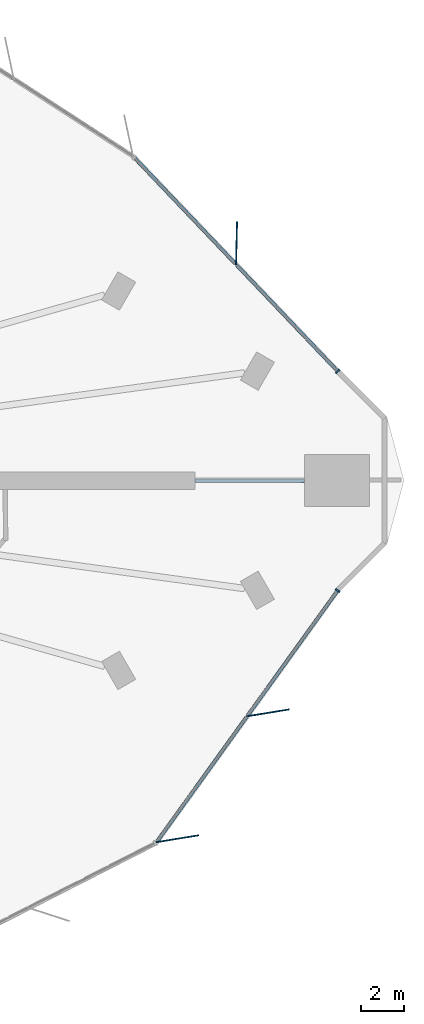
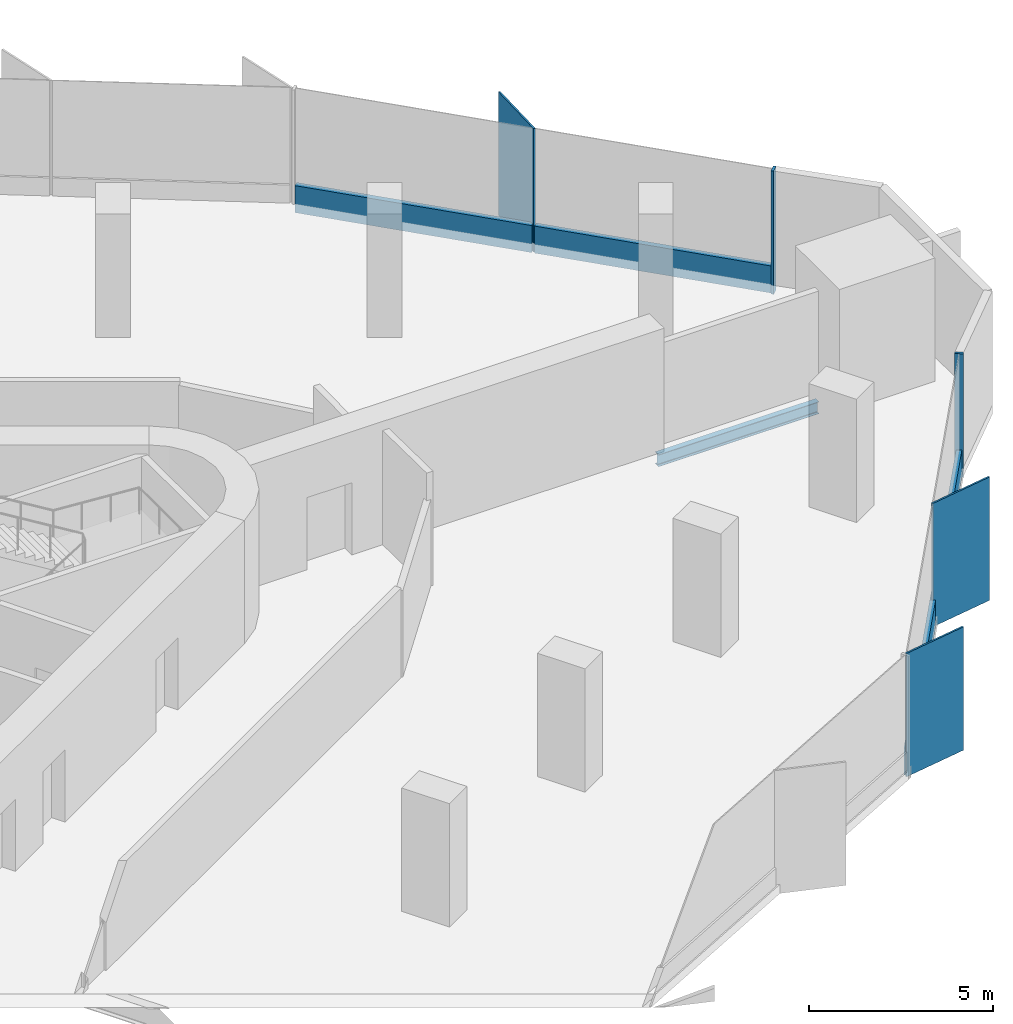
# One storey, part 6 of 14: 9 members, 1 beam, 2 elements without a shape of their own.
"""IFC4 building model written with IfcOpenShell, lengths in metres."""

from ifc_helpers import new_model, si_unit, direction, frame, origin, origin_2d, place, context, subcontext, project, spatial, rectangle, i_section, extrude, material, material_profile, profile_set, type_object, element, aggregate, save


model = new_model("IFC4")

# Units and contexts
model_context = context("Model", 3, precision=1e-05, world=origin(), true_north=direction((0.0, 1.0)))
body_context = subcontext(model_context, "Body", "Model", "MODEL_VIEW")
ifc_project = project(units=[si_unit("LENGTHUNIT", "METRE"), si_unit("AREAUNIT", "SQUARE_METRE"), si_unit("VOLUMEUNIT", "CUBIC_METRE"), si_unit("PLANEANGLEUNIT", "RADIAN"), si_unit("MASSUNIT", "GRAM", prefix="KILO")], contexts=[model_context])

# Site, building, storey
site_placement = place(None, origin())
site = spatial("IfcSite", under=ifc_project, at=site_placement, CompositionType="ELEMENT")
building_placement = place(site_placement, origin())
building = spatial("IfcBuilding", under=site, at=building_placement, Name="Tanit Gate Tower", CompositionType="ELEMENT")
storey_placement = place(building_placement, frame((0.0, 0.0, 115.199951171875)))
storey = spatial("IfcBuildingStorey", under=building, at=storey_placement, Name="L24", CompositionType="ELEMENT", Elevation=115.199951171875)

# Curtain wall, member
ifc_material_1 = material(Name="Aluminium bronze anodised and glass", Category="aluminium")
curtain_wall_type = type_object("IfcCurtainWallType", Name="Curtain wall typical low", PredefinedType="NOTDEFINED", material=ifc_material_1)
curtain_wall_1_placement = place(storey_placement, origin())
curtain_wall_1 = element("IfcCurtainWall", 1, at=curtain_wall_1_placement, inside=storey, type_object=curtain_wall_type, Name="Curtain wall L24 NE1", PredefinedType="NOTDEFINED")
ifc_material_2 = material(Name="Aluminium bronze anodised", Category="aluminium")
ifc_material_profile_1 = material_profile(ifc_material_2, rectangle(XDim=2.0, YDim=0.055908203125, at=origin_2d()), Name="56x2000 bronze fin mullion")
ifc_profile_set_1 = profile_set([ifc_material_profile_1], Name="Aluminium bronze anodised")
member_type_1 = type_object("IfcMemberType", Name="FIN MULLION 56x2000 bronze", PredefinedType="MULLION", material=ifc_profile_set_1)
member_1_placement = place(storey_placement, frame((36.09619140625, 10.9541015625, -0.300048828125), z_axis=(0.0, 0.0, 1.0), x_axis=(-0.024623071123, -0.999696806221, 0.0)))
member_1 = element("IfcMember", 2, at=member_1_placement, type_object=member_type_1, Name="Fin mullion L24 NE1.2", PredefinedType="MULLION", context=body_context, shape_type="SweptSolid", body=[
    extrude(rectangle(XDim=2.0, YDim=0.055908203125, at=origin_2d()), origin(), (0.0, 0.0, 1.0), 4.10009765625),
])

# Curtain wall, members
curtain_wall_2_placement = place(storey_placement, origin())
curtain_wall_2 = element("IfcCurtainWall", 3, at=curtain_wall_2_placement, inside=storey, type_object=curtain_wall_type, Name="Curtain wall L24 SE3", PredefinedType="NOTDEFINED")
member_2_placement = place(storey_placement, frame((33.36572265625, -16.519775390625, -0.300048828125), z_axis=(0.0, 0.0, 1.0), x_axis=(-0.986959384156, -0.160969481659, 0.0)))
member_2 = element("IfcMember", 4, at=member_2_placement, type_object=member_type_1, Name="Fin mullion L24 SE3.1", PredefinedType="MULLION", context=body_context, shape_type="SweptSolid", body=[
    extrude(rectangle(XDim=2.0, YDim=0.055908203125, at=origin_2d()), origin(), (0.0, 0.0, 1.0), 4.10009765625),
])
member_3_placement = place(storey_placement, frame((37.54541015625, -10.711181640625, -0.300048828125), z_axis=(0.0, 0.0, 1.0), x_axis=(-0.986959384156, -0.160969481659, 0.0)))
member_3 = element("IfcMember", 5, at=member_3_placement, type_object=member_type_1, Name="Fin mullion L24 SE3.2", PredefinedType="MULLION", context=body_context, shape_type="SweptSolid", body=[
    extrude(rectangle(XDim=2.0, YDim=0.055908203125, at=origin_2d()), origin(), (0.0, 0.0, 1.0), 4.10009765625),
])

# Member
ifc_material_3 = material(Name="Aluminium bronze anodised", Category="aluminium")
ifc_material_profile_2 = material_profile(ifc_material_3, rectangle(XDim=0.239990234375, YDim=0.080078125, at=origin_2d()), Name="80x240 bronze mullion")
ifc_profile_set_2 = profile_set([ifc_material_profile_2], Name="Aluminium bronze anodised")
member_type_2 = type_object("IfcMemberType", Name="Mullion 80x240 typical low", PredefinedType="MULLION", material=ifc_profile_set_2)
member_4_placement = place(storey_placement, frame((40.76220703125, 5.05029296875, -0.300048828125), z_axis=(0.0, 0.0, 1.0), x_axis=(-0.724303531374, -0.689481250245, 0.0)))
member_4 = element("IfcMember", 6, at=member_4_placement, type_object=member_type_2, Name="Mullion L24 NE1.1", PredefinedType="MULLION", context=body_context, shape_type="SweptSolid", body=[
    extrude(rectangle(XDim=0.239990234375, YDim=0.080078125, at=origin_2d()), origin(), (0.0, 0.0, 1.0), 4.10009765625),
])

member_5_placement = place(storey_placement, frame((40.760498046875, -5.059814453125, -0.300048828125), z_axis=(0.0, 0.0, 1.0), x_axis=(-0.811708285338, 0.584063061247, 0.0)))
member_5 = element("IfcMember", 7, at=member_5_placement, type_object=member_type_2, Name="Mullion L24 SE3.3", PredefinedType="MULLION", context=body_context, shape_type="SweptSolid", body=[
    extrude(rectangle(XDim=0.239990234375, YDim=0.080078125, at=origin_2d()), origin(), (0.0, 0.0, 1.0), 4.10009765625),
])

# Beam
ifc_material_4 = material(Name="Steel S355", Category="steel")
ifc_material_profile_3 = material_profile(ifc_material_4, i_section(OverallWidth=0.179931640625, OverallDepth=0.39990234375, WebThickness=0.008544921875, FlangeThickness=0.013427734375, FilletRadius=0.02099609375, at=origin_2d()), Name="IPE 400")
ifc_profile_set_3 = profile_set([ifc_material_profile_3], Name="Steel S355")
beam_type = type_object("IfcBeamType", Name="RADIAL GIRDER IPE 400 S355", PredefinedType="BEAM", material=ifc_profile_set_3)
beam_placement = place(storey_placement, frame((39.22314453125, 0.0, -0.5), z_axis=(-1.0, 0.0, 0.0), x_axis=(0.0, -1.0, 0.0)))
element("IfcBeam", 8, at=beam_placement, inside=storey, type_object=beam_type, Name="RADIAL GIRDER", PredefinedType="BEAM", context=body_context, shape_type="SweptSolid", body=[
    extrude(i_section(OverallWidth=0.179931640625, OverallDepth=0.39990234375, WebThickness=0.008544921875, FlangeThickness=0.013427734375, FilletRadius=0.02099609375, at=origin_2d()), origin(), (0.0, 0.0, 1.0), 5.046630859375),
])

# Member
ifc_material_5 = material(Name="Aluminium bronze anodised", Category="aluminium")
ifc_material_profile_4 = material_profile(ifc_material_5, rectangle(XDim=0.159912109375, YDim=0.89990234375, at=origin_2d()), Name="160x900 bronze transom")
ifc_profile_set_4 = profile_set([ifc_material_profile_4], Name="Aluminium bronze anodised")
member_type_3 = type_object("IfcMemberType", Name="Transom 160x900 typical low", PredefinedType="USERDEFINED", material=ifc_profile_set_4)
member_6_placement = place(storey_placement, frame((40.734619140625, 5.079345703125, 0.150146484375), z_axis=(-0.689477400789, 0.72430719574, 0.0), x_axis=(-0.72430719574, -0.689477400789, 0.0)))
member_6 = element("IfcMember", 9, at=member_6_placement, type_object=member_type_3, Name="Transom L24 NE1.1", ObjectType="TRANSOM", PredefinedType="USERDEFINED", context=body_context, shape_type="SweptSolid", body=[
    extrude(rectangle(XDim=0.159912109375, YDim=0.89990234375, at=origin_2d()), origin(), (0.0, 0.0, 1.0), 6.72216796875),
])

member_7_placement = place(storey_placement, frame((36.044677734375, 10.006103515625, 0.150146484375), z_axis=(-0.689495538455, 0.724289929829, 0.0), x_axis=(-0.724289929829, -0.689495538455, 0.0)))
member_7 = element("IfcMember", 10, at=member_7_placement, type_object=member_type_3, Name="Transom L24 NE1.2", ObjectType="TRANSOM", PredefinedType="USERDEFINED", context=body_context, shape_type="SweptSolid", body=[
    extrude(rectangle(XDim=0.159912109375, YDim=0.89990234375, at=origin_2d()), origin(), (0.0, 0.0, 1.0), 6.721923828125),
])

aggregate(curtain_wall_1, [member_4, member_1, member_6, member_7])

member_8_placement = place(storey_placement, frame((32.424560546875, -16.644775390625, 0.150146484375), z_axis=(0.584044751567, 0.811721459718, 0.0), x_axis=(-0.811721459718, 0.584044751567, 0.0)))
member_8 = element("IfcMember", 11, at=member_8_placement, type_object=member_type_3, Name="Transom L24 SE3.1", ObjectType="TRANSOM", PredefinedType="USERDEFINED", context=body_context, shape_type="SweptSolid", body=[
    extrude(rectangle(XDim=0.159912109375, YDim=0.89990234375, at=origin_2d()), origin(), (0.0, 0.0, 1.0), 7.076171875),
])

member_9_placement = place(storey_placement, frame((36.604248046875, -10.8359375, 0.150146484375), z_axis=(0.584061108529, 0.811709690409, 0.0), x_axis=(-0.811709690409, 0.584061108529, 0.0)))
member_9 = element("IfcMember", 12, at=member_9_placement, type_object=member_type_3, Name="Transom L24 SE3.2", ObjectType="TRANSOM", PredefinedType="USERDEFINED", context=body_context, shape_type="SweptSolid", body=[
    extrude(rectangle(XDim=0.159912109375, YDim=0.89990234375, at=origin_2d()), origin(), (0.0, 0.0, 1.0), 7.075927734375),
])

aggregate(curtain_wall_2, [member_2, member_3, member_5, member_8, member_9])

save(model, "model.ifc")
